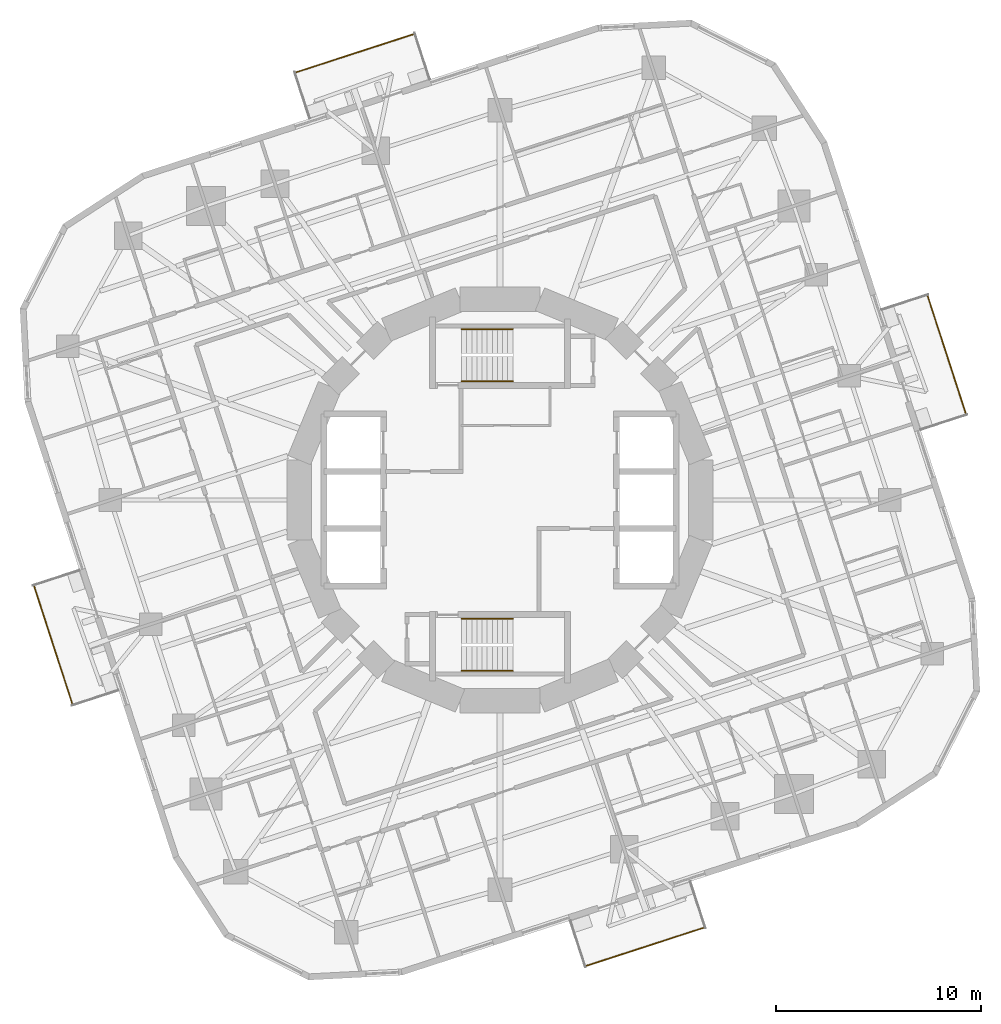
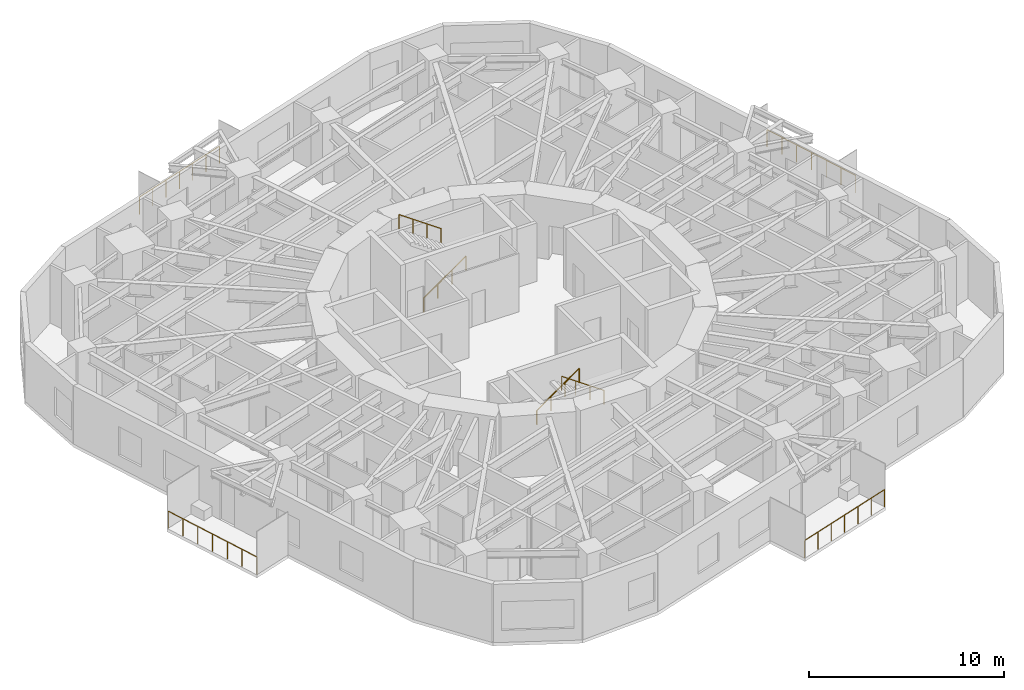
# One storey, part 11 of 12: 8 railings.
"""IFC4 building model written with IfcOpenShell, lengths in metres."""

from ifc_helpers import new_model, si_unit, direction, frame, origin, origin_2d, place, context, subcontext, project, spatial, circle, extrude, material, type_object, element, save


model = new_model("IFC4")

# Units and contexts
model_context = context("Model", 3, precision=1e-05, world=origin(), true_north=direction((0.0, 1.0)))
body_context = subcontext(model_context, "Body", "Model", "MODEL_VIEW")
ifc_project = project(units=[si_unit("LENGTHUNIT", "METRE"), si_unit("AREAUNIT", "SQUARE_METRE"), si_unit("VOLUMEUNIT", "CUBIC_METRE"), si_unit("PLANEANGLEUNIT", "RADIAN"), si_unit("MASSUNIT", "GRAM", prefix="KILO")], contexts=[model_context])

# Site, building, storey
site_placement = place(None, origin())
site = spatial("IfcSite", under=ifc_project, at=site_placement, CompositionType="ELEMENT")
building_placement = place(site_placement, origin())
building = spatial("IfcBuilding", under=site, at=building_placement, Name="Nakasero Lantern House", CompositionType="ELEMENT")
storey_placement = place(building_placement, frame((0.0, 0.0, 149.5)))
storey = spatial("IfcBuildingStorey", under=building, at=storey_placement, Name="L36", CompositionType="ELEMENT", Elevation=149.5)

# Railings
ifc_material_1 = material(Name="Aluminium 6063-T6", Category="aluminium")
railing_type_1 = type_object("IfcRailingType", Name="Balcony guard 1100", PredefinedType="BALUSTRADE", material=ifc_material_1)
railing_1_placement = place(storey_placement, frame((22.7724609375, 4.181640625, 0.0)))
element("IfcRailing", 1, at=railing_1_placement, inside=storey, type_object=railing_type_1, Name="Balcony guard L36 BAL0", PredefinedType="BALUSTRADE", context=body_context, shape_type="SweptSolid", body=[
    extrude(circle(Radius=0.02392578125, at=origin_2d()), frame((0.0, 0.0, 1.076171875), z_axis=(-0.309038265471, 0.951049604634, 0.0), x_axis=(-0.951049604634, -0.309038265471, 0.0)), (0.0, 0.0, 1.0), 6.1201171875),
    extrude(circle(Radius=0.02099609375, at=origin_2d()), origin(), (0.0, 0.0, 1.0), 1.052001953125),
    extrude(circle(Radius=0.02099609375, at=origin_2d()), frame((-0.315185546875, 0.97021484375, 0.0)), (0.0, 0.0, 1.0), 1.052001953125),
    extrude(circle(Radius=0.02099609375, at=origin_2d()), frame((-0.63037109375, 1.940185546875, 0.0)), (0.0, 0.0, 1.0), 1.052001953125),
    extrude(circle(Radius=0.02099609375, at=origin_2d()), frame((-0.94580078125, 2.91015625, 0.0)), (0.0, 0.0, 1.0), 1.052001953125),
    extrude(circle(Radius=0.02099609375, at=origin_2d()), frame((-1.260986328125, 3.88037109375, 0.0)), (0.0, 0.0, 1.0), 1.052001953125),
    extrude(circle(Radius=0.02099609375, at=origin_2d()), frame((-1.576171875, 4.8505859375, 0.0)), (0.0, 0.0, 1.0), 1.052001953125),
    extrude(circle(Radius=0.02099609375, at=origin_2d()), frame((-1.891357421875, 5.820556640625, 0.0)), (0.0, 0.0, 1.0), 1.052001953125),
])
railing_2_placement = place(storey_placement, frame((-4.181640625, 22.7724609375, 0.0)))
element("IfcRailing", 2, at=railing_2_placement, inside=storey, type_object=railing_type_1, Name="Balcony guard L36 BAL1", PredefinedType="BALUSTRADE", context=body_context, shape_type="SweptSolid", body=[
    extrude(circle(Radius=0.02392578125, at=origin_2d()), frame((0.0, 0.0, 1.076171875), z_axis=(-0.951049604634, -0.309038265471, 0.0), x_axis=(0.309038265471, -0.951049604634, 0.0)), (0.0, 0.0, 1.0), 6.1201171875),
    extrude(circle(Radius=0.02099609375, at=origin_2d()), origin(), (0.0, 0.0, 1.0), 1.052001953125),
    extrude(circle(Radius=0.02099609375, at=origin_2d()), frame((-0.97021484375, -0.315185546875, 0.0)), (0.0, 0.0, 1.0), 1.052001953125),
    extrude(circle(Radius=0.02099609375, at=origin_2d()), frame((-1.940185546875, -0.63037109375, 0.0)), (0.0, 0.0, 1.0), 1.052001953125),
    extrude(circle(Radius=0.02099609375, at=origin_2d()), frame((-2.91015625, -0.94580078125, 0.0)), (0.0, 0.0, 1.0), 1.052001953125),
    extrude(circle(Radius=0.02099609375, at=origin_2d()), frame((-3.88037109375, -1.260986328125, 0.0)), (0.0, 0.0, 1.0), 1.052001953125),
    extrude(circle(Radius=0.02099609375, at=origin_2d()), frame((-4.8505859375, -1.576171875, 0.0)), (0.0, 0.0, 1.0), 1.052001953125),
    extrude(circle(Radius=0.02099609375, at=origin_2d()), frame((-5.820556640625, -1.891357421875, 0.0)), (0.0, 0.0, 1.0), 1.052001953125),
])
railing_3_placement = place(storey_placement, frame((-22.7724609375, -4.181640625, 0.0)))
element("IfcRailing", 3, at=railing_3_placement, inside=storey, type_object=railing_type_1, Name="Balcony guard L36 BAL2", PredefinedType="BALUSTRADE", context=body_context, shape_type="SweptSolid", body=[
    extrude(circle(Radius=0.02392578125, at=origin_2d()), frame((0.0, 0.0, 1.076171875), z_axis=(0.309038265471, -0.951049604634, 0.0), x_axis=(0.951049604634, 0.309038265471, 0.0)), (0.0, 0.0, 1.0), 6.1201171875),
    extrude(circle(Radius=0.02099609375, at=origin_2d()), origin(), (0.0, 0.0, 1.0), 1.052001953125),
    extrude(circle(Radius=0.02099609375, at=origin_2d()), frame((0.315185546875, -0.97021484375, 0.0)), (0.0, 0.0, 1.0), 1.052001953125),
    extrude(circle(Radius=0.02099609375, at=origin_2d()), frame((0.63037109375, -1.940185546875, 0.0)), (0.0, 0.0, 1.0), 1.052001953125),
    extrude(circle(Radius=0.02099609375, at=origin_2d()), frame((0.94580078125, -2.91015625, 0.0)), (0.0, 0.0, 1.0), 1.052001953125),
    extrude(circle(Radius=0.02099609375, at=origin_2d()), frame((1.260986328125, -3.88037109375, 0.0)), (0.0, 0.0, 1.0), 1.052001953125),
    extrude(circle(Radius=0.02099609375, at=origin_2d()), frame((1.576171875, -4.8505859375, 0.0)), (0.0, 0.0, 1.0), 1.052001953125),
    extrude(circle(Radius=0.02099609375, at=origin_2d()), frame((1.891357421875, -5.820556640625, 0.0)), (0.0, 0.0, 1.0), 1.052001953125),
])
railing_4_placement = place(storey_placement, frame((4.181640625, -22.7724609375, 0.0)))
element("IfcRailing", 4, at=railing_4_placement, inside=storey, type_object=railing_type_1, Name="Balcony guard L36 BAL3", PredefinedType="BALUSTRADE", context=body_context, shape_type="SweptSolid", body=[
    extrude(circle(Radius=0.02392578125, at=origin_2d()), frame((0.0, 0.0, 1.076171875), z_axis=(0.951049604634, 0.309038265471, 0.0), x_axis=(-0.309038265471, 0.951049604634, 0.0)), (0.0, 0.0, 1.0), 6.1201171875),
    extrude(circle(Radius=0.02099609375, at=origin_2d()), origin(), (0.0, 0.0, 1.0), 1.052001953125),
    extrude(circle(Radius=0.02099609375, at=origin_2d()), frame((0.97021484375, 0.315185546875, 0.0)), (0.0, 0.0, 1.0), 1.052001953125),
    extrude(circle(Radius=0.02099609375, at=origin_2d()), frame((1.940185546875, 0.63037109375, 0.0)), (0.0, 0.0, 1.0), 1.052001953125),
    extrude(circle(Radius=0.02099609375, at=origin_2d()), frame((2.91015625, 0.94580078125, 0.0)), (0.0, 0.0, 1.0), 1.052001953125),
    extrude(circle(Radius=0.02099609375, at=origin_2d()), frame((3.88037109375, 1.260986328125, 0.0)), (0.0, 0.0, 1.0), 1.052001953125),
    extrude(circle(Radius=0.02099609375, at=origin_2d()), frame((4.8505859375, 1.576171875, 0.0)), (0.0, 0.0, 1.0), 1.052001953125),
    extrude(circle(Radius=0.02099609375, at=origin_2d()), frame((5.820556640625, 1.891357421875, 0.0)), (0.0, 0.0, 1.0), 1.052001953125),
])
ifc_material_2 = material(Name="Stainless steel 316", Category="steel")
railing_type_2 = type_object("IfcRailingType", Name="Stair handrail 900", PredefinedType="HANDRAIL", material=ifc_material_2)
railing_5_placement = place(storey_placement, frame((-1.875, 5.800048828125, 0.175048828125)))
element("IfcRailing", 5, at=railing_5_placement, inside=storey, type_object=railing_type_2, Name="Handrail ST1 L36 flight 1", PredefinedType="HANDRAIL", context=body_context, shape_type="SweptSolid", body=[
    extrude(circle(Radius=0.02392578125, at=origin_2d()), frame((0.0, 0.0, 0.8759765625), z_axis=(0.819231920519, 0.0, 0.573462344363), x_axis=(0.0, 1.0, 0.0)), (0.0, 0.0, 1.0), 3.0517578125),
    extrude(circle(Radius=0.02099609375, at=origin_2d()), origin(), (0.0, 0.0, 1.0), 0.851806640625),
    extrude(circle(Radius=0.02099609375, at=origin_2d()), frame((0.833251953125, 0.0, 0.583251953125)), (0.0, 0.0, 1.0), 0.851806640625),
    extrude(circle(Radius=0.02099609375, at=origin_2d()), frame((1.666748046875, 0.0, 1.166748046875)), (0.0, 0.0, 1.0), 0.851806640625),
    extrude(circle(Radius=0.02099609375, at=origin_2d()), frame((2.5, 0.0, 1.75)), (0.0, 0.0, 1.0), 0.851806640625),
])
railing_6_placement = place(storey_placement, frame((0.625, 8.35009765625, 2.10009765625)))
element("IfcRailing", 6, at=railing_6_placement, inside=storey, type_object=railing_type_2, Name="Handrail ST1 L36 flight 2", PredefinedType="HANDRAIL", context=body_context, shape_type="SweptSolid", body=[
    extrude(circle(Radius=0.02392578125, at=origin_2d()), frame((0.0, 0.0, 0.8759765625), z_axis=(-0.819231920519, 0.0, 0.573462344363), x_axis=(0.0, -1.0, 0.0)), (0.0, 0.0, 1.0), 3.0517578125),
    extrude(circle(Radius=0.02099609375, at=origin_2d()), origin(), (0.0, 0.0, 1.0), 0.851806640625),
    extrude(circle(Radius=0.02099609375, at=origin_2d()), frame((-0.833251953125, 0.0, 0.583251953125)), (0.0, 0.0, 1.0), 0.851806640625),
    extrude(circle(Radius=0.02099609375, at=origin_2d()), frame((-1.666748046875, 0.0, 1.166748046875)), (0.0, 0.0, 1.0), 0.851806640625),
    extrude(circle(Radius=0.02099609375, at=origin_2d()), frame((-2.5, 0.0, 1.75)), (0.0, 0.0, 1.0), 0.851806640625),
])
railing_7_placement = place(storey_placement, frame((-1.875, -5.800048828125, 0.175048828125)))
element("IfcRailing", 7, at=railing_7_placement, inside=storey, type_object=railing_type_2, Name="Handrail ST2 L36 flight 1", PredefinedType="HANDRAIL", context=body_context, shape_type="SweptSolid", body=[
    extrude(circle(Radius=0.02392578125, at=origin_2d()), frame((0.0, 0.0, 0.8759765625), z_axis=(0.819231920519, 0.0, 0.573462344363), x_axis=(0.0, 1.0, 0.0)), (0.0, 0.0, 1.0), 3.0517578125),
    extrude(circle(Radius=0.02099609375, at=origin_2d()), origin(), (0.0, 0.0, 1.0), 0.851806640625),
    extrude(circle(Radius=0.02099609375, at=origin_2d()), frame((0.833251953125, 0.0, 0.583251953125)), (0.0, 0.0, 1.0), 0.851806640625),
    extrude(circle(Radius=0.02099609375, at=origin_2d()), frame((1.666748046875, 0.0, 1.166748046875)), (0.0, 0.0, 1.0), 0.851806640625),
    extrude(circle(Radius=0.02099609375, at=origin_2d()), frame((2.5, 0.0, 1.75)), (0.0, 0.0, 1.0), 0.851806640625),
])
railing_8_placement = place(storey_placement, frame((0.625, -8.35009765625, 2.10009765625)))
element("IfcRailing", 8, at=railing_8_placement, inside=storey, type_object=railing_type_2, Name="Handrail ST2 L36 flight 2", PredefinedType="HANDRAIL", context=body_context, shape_type="SweptSolid", body=[
    extrude(circle(Radius=0.02392578125, at=origin_2d()), frame((0.0, 0.0, 0.8759765625), z_axis=(-0.819231920519, 0.0, 0.573462344363), x_axis=(0.0, -1.0, 0.0)), (0.0, 0.0, 1.0), 3.0517578125),
    extrude(circle(Radius=0.02099609375, at=origin_2d()), origin(), (0.0, 0.0, 1.0), 0.851806640625),
    extrude(circle(Radius=0.02099609375, at=origin_2d()), frame((-0.833251953125, 0.0, 0.583251953125)), (0.0, 0.0, 1.0), 0.851806640625),
    extrude(circle(Radius=0.02099609375, at=origin_2d()), frame((-1.666748046875, 0.0, 1.166748046875)), (0.0, 0.0, 1.0), 0.851806640625),
    extrude(circle(Radius=0.02099609375, at=origin_2d()), frame((-2.5, 0.0, 1.75)), (0.0, 0.0, 1.0), 0.851806640625),
])

save(model, "model.ifc")
